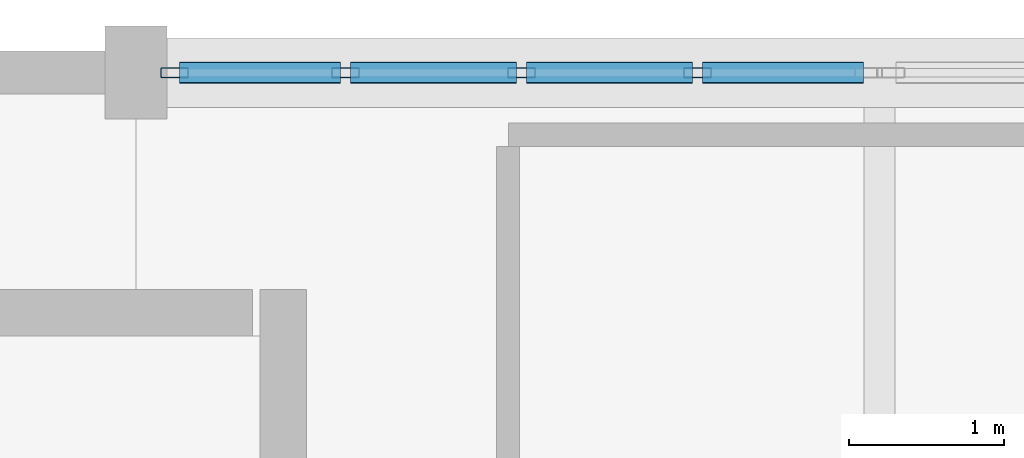
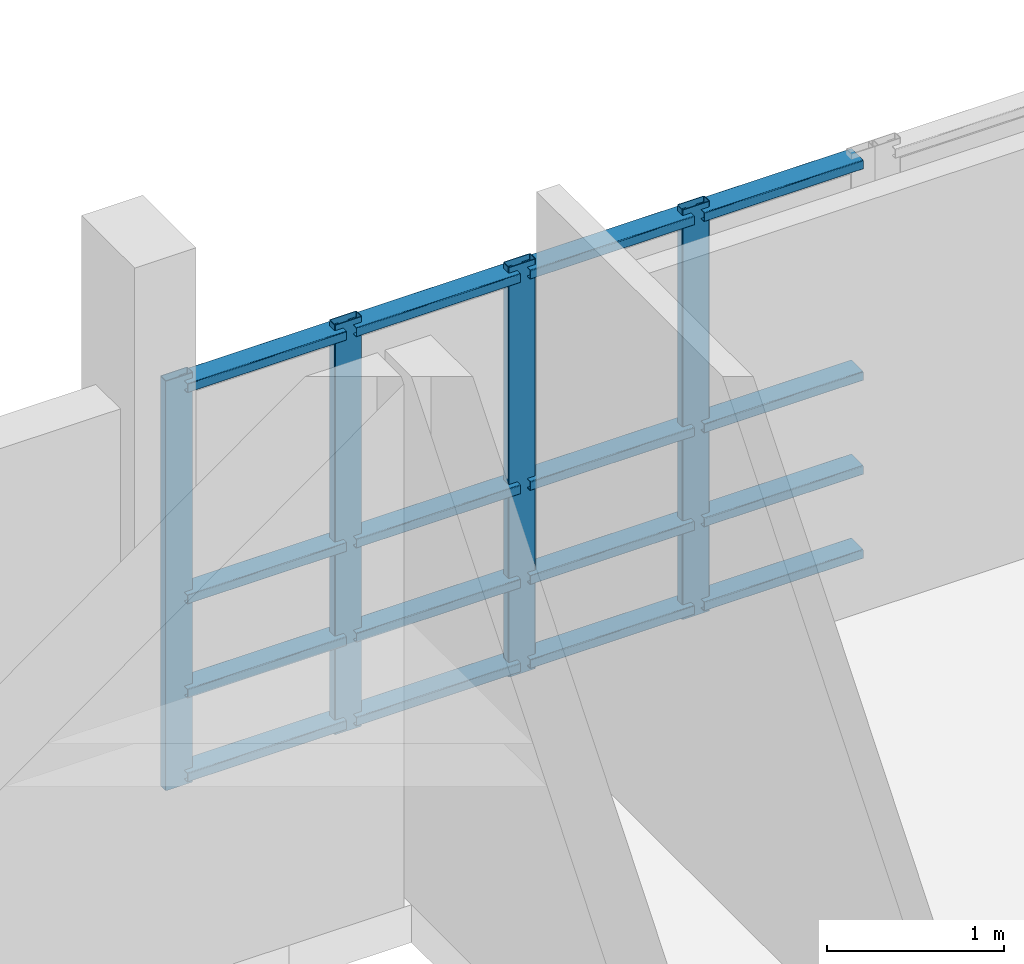
# One storey, part 116 of 188: 20 members, 1 element without a shape of its own.
"""IFC4 building model written with IfcOpenShell, lengths in metres."""

from ifc_helpers import new_model, si_unit, direction, frame, origin, origin_2d, place, context, subcontext, project, spatial, hollow_rectangle, extrude, material, layer, layer_set, material_profile, profile_set, type_object, element, aggregate, save


model = new_model("IFC4")

# Units and contexts
model_context = context("Model", 3, precision=1e-05, world=origin(), true_north=direction((0.0, 1.0)))
body_context = subcontext(model_context, "Body", "Model", "MODEL_VIEW")
ifc_project = project(units=[si_unit("LENGTHUNIT", "METRE"), si_unit("AREAUNIT", "SQUARE_METRE"), si_unit("VOLUMEUNIT", "CUBIC_METRE"), si_unit("PLANEANGLEUNIT", "RADIAN"), si_unit("MASSUNIT", "GRAM", prefix="KILO")], contexts=[model_context])

# Site, building, storey
site_placement = place(None, origin())
site = spatial("IfcSite", under=ifc_project, at=site_placement, CompositionType="ELEMENT")
building_placement = place(site_placement, origin())
building = spatial("IfcBuilding", under=site, at=building_placement, Name="Kisaragi Civic Commons", CompositionType="ELEMENT")
storey_placement = place(building_placement, frame((0.0, 0.0, 9.60009765625)))
storey = spatial("IfcBuildingStorey", under=building, at=storey_placement, Name="L02", CompositionType="ELEMENT", Elevation=9.60009765625)

# Curtain wall, members
ifc_material = material(Name="Thermally broken anodized aluminium and low-E double glazing", Category="aluminium")
ifc_layer = layer(ifc_material, 0.179931640625, Name="Thermally broken anodized aluminium and low-E double glazing", Category="aluminium")
ifc_layer_set = layer_set([ifc_layer], Name="Thermally broken anodized aluminium and low-E double glazing")
curtain_wall_type = type_object("IfcCurtainWallType", Name="CW-01", PredefinedType="NOTDEFINED", material=ifc_layer_set)
curtain_wall_placement = place(storey_placement, origin())
curtain_wall = element("IfcCurtainWall", 1, at=curtain_wall_placement, inside=storey, type_object=curtain_wall_type, Name="L02 curtain wall CW-01 CW-V4-L02-085", PredefinedType="NOTDEFINED")
ifc_material_profile_1 = material_profile(ifc_material, hollow_rectangle(XDim=0.06494140625, YDim=0.179931640625, WallThickness=0.00439453125, InnerFilletRadius=0.00439453125, OuterFilletRadius=0.009033203125, at=origin_2d()), Name="CWM-65x180x4.5", Category="aluminium")
ifc_profile_set_1 = profile_set([ifc_material_profile_1], Name="Thermally broken anodized aluminium and low-E double glazing")
member_type_1 = type_object("IfcMemberType", Name="CWM-02", PredefinedType="MULLION", material=ifc_profile_set_1)
member_1_placement = place(storey_placement, frame((123.847412109375, 118.800048828125, 0.0), z_axis=(0.0, 0.0, 1.0), x_axis=(0.0, 1.0, 0.0)))
member_1 = element("IfcMember", 2, at=member_1_placement, type_object=member_type_1, Name="CW-01 mullion 1", PredefinedType="MULLION", context=body_context, shape_type="SweptSolid", body=[
    extrude(hollow_rectangle(XDim=0.06494140625, YDim=0.179931640625, WallThickness=0.00439453125, InnerFilletRadius=0.00439453125, OuterFilletRadius=0.009033203125, at=origin_2d()), origin(), (0.0, 0.0, 1.0), 2.829833984375),
])
member_2_placement = place(storey_placement, frame((124.951171875, 118.800048828125, 0.0), z_axis=(0.0, 0.0, 1.0), x_axis=(0.0, 1.0, 0.0)))
member_2 = element("IfcMember", 3, at=member_2_placement, type_object=member_type_1, Name="CW-01 mullion 2", PredefinedType="MULLION", context=body_context, shape_type="SweptSolid", body=[
    extrude(hollow_rectangle(XDim=0.06494140625, YDim=0.179931640625, WallThickness=0.00439453125, InnerFilletRadius=0.00439453125, OuterFilletRadius=0.009033203125, at=origin_2d()), origin(), (0.0, 0.0, 1.0), 2.829833984375),
])
member_3_placement = place(storey_placement, frame((126.08740234375, 118.800048828125, 0.0), z_axis=(0.0, 0.0, 1.0), x_axis=(0.0, 1.0, 0.0)))
member_3 = element("IfcMember", 4, at=member_3_placement, type_object=member_type_1, Name="CW-01 mullion 3", PredefinedType="MULLION", context=body_context, shape_type="SweptSolid", body=[
    extrude(hollow_rectangle(XDim=0.06494140625, YDim=0.179931640625, WallThickness=0.00439453125, InnerFilletRadius=0.00439453125, OuterFilletRadius=0.009033203125, at=origin_2d()), origin(), (0.0, 0.0, 1.0), 2.829833984375),
])
member_4_placement = place(storey_placement, frame((127.2236328125, 118.800048828125, 0.0), z_axis=(0.0, 0.0, 1.0), x_axis=(0.0, 1.0, 0.0)))
member_4 = element("IfcMember", 5, at=member_4_placement, type_object=member_type_1, Name="CW-01 mullion 4", PredefinedType="MULLION", context=body_context, shape_type="SweptSolid", body=[
    extrude(hollow_rectangle(XDim=0.06494140625, YDim=0.179931640625, WallThickness=0.00439453125, InnerFilletRadius=0.00439453125, OuterFilletRadius=0.009033203125, at=origin_2d()), origin(), (0.0, 0.0, 1.0), 2.829833984375),
])
ifc_material_profile_2 = material_profile(ifc_material, hollow_rectangle(XDim=0.139892578125, YDim=0.06494140625, WallThickness=0.00439453125, InnerFilletRadius=0.00439453125, OuterFilletRadius=0.009033203125, at=origin_2d()), Name="CWT-65x140x4.5", Category="aluminium")
ifc_profile_set_2 = profile_set([ifc_material_profile_2], Name="Thermally broken anodized aluminium and low-E double glazing")
member_type_2 = type_object("IfcMemberType", Name="CWT-02", PredefinedType="USERDEFINED", material=ifc_profile_set_2)
member_5_placement = place(storey_placement, frame((123.8798828125, 118.800048828125, 0.06982421875), z_axis=(1.0, 0.0, 0.0), x_axis=(0.0, 1.0, 0.0)))
member_5 = element("IfcMember", 6, at=member_5_placement, type_object=member_type_2, Name="CW-01 transom 1.1", ObjectType="TRANSOM", PredefinedType="USERDEFINED", context=body_context, shape_type="SweptSolid", body=[
    extrude(hollow_rectangle(XDim=0.139892578125, YDim=0.06494140625, WallThickness=0.00439453125, InnerFilletRadius=0.00439453125, OuterFilletRadius=0.009033203125, at=origin_2d()), origin(), (0.0, 0.0, 1.0), 1.038818359375),
])
member_6_placement = place(storey_placement, frame((123.8798828125, 118.800048828125, 0.64990234375), z_axis=(1.0, 0.0, 0.0), x_axis=(0.0, 1.0, 0.0)))
member_6 = element("IfcMember", 7, at=member_6_placement, type_object=member_type_2, Name="CW-01 transom 1.2", ObjectType="TRANSOM", PredefinedType="USERDEFINED", context=body_context, shape_type="SweptSolid", body=[
    extrude(hollow_rectangle(XDim=0.139892578125, YDim=0.06494140625, WallThickness=0.00439453125, InnerFilletRadius=0.00439453125, OuterFilletRadius=0.009033203125, at=origin_2d()), origin(), (0.0, 0.0, 1.0), 1.038818359375),
])
member_7_placement = place(storey_placement, frame((123.8798828125, 118.800048828125, 1.2998046875), z_axis=(1.0, 0.0, 0.0), x_axis=(0.0, 1.0, 0.0)))
member_7 = element("IfcMember", 8, at=member_7_placement, type_object=member_type_2, Name="CW-01 transom 1.3", ObjectType="TRANSOM", PredefinedType="USERDEFINED", context=body_context, shape_type="SweptSolid", body=[
    extrude(hollow_rectangle(XDim=0.139892578125, YDim=0.06494140625, WallThickness=0.00439453125, InnerFilletRadius=0.00439453125, OuterFilletRadius=0.009033203125, at=origin_2d()), origin(), (0.0, 0.0, 1.0), 1.038818359375),
])
member_8_placement = place(storey_placement, frame((123.8798828125, 118.800048828125, 2.760009765625), z_axis=(1.0, 0.0, 0.0), x_axis=(0.0, 1.0, 0.0)))
member_8 = element("IfcMember", 9, at=member_8_placement, type_object=member_type_2, Name="CW-01 transom 1.4", ObjectType="TRANSOM", PredefinedType="USERDEFINED", context=body_context, shape_type="SweptSolid", body=[
    extrude(hollow_rectangle(XDim=0.139892578125, YDim=0.06494140625, WallThickness=0.00439453125, InnerFilletRadius=0.00439453125, OuterFilletRadius=0.009033203125, at=origin_2d()), origin(), (0.0, 0.0, 1.0), 1.038818359375),
])
member_9_placement = place(storey_placement, frame((124.983642578125, 118.800048828125, 0.06982421875), z_axis=(1.0, 0.0, 0.0), x_axis=(0.0, 1.0, 0.0)))
member_9 = element("IfcMember", 10, at=member_9_placement, type_object=member_type_2, Name="CW-01 transom 2.1", ObjectType="TRANSOM", PredefinedType="USERDEFINED", context=body_context, shape_type="SweptSolid", body=[
    extrude(hollow_rectangle(XDim=0.139892578125, YDim=0.06494140625, WallThickness=0.00439453125, InnerFilletRadius=0.00439453125, OuterFilletRadius=0.009033203125, at=origin_2d()), origin(), (0.0, 0.0, 1.0), 1.0712890625),
])
member_10_placement = place(storey_placement, frame((124.983642578125, 118.800048828125, 0.64990234375), z_axis=(1.0, 0.0, 0.0), x_axis=(0.0, 1.0, 0.0)))
member_10 = element("IfcMember", 11, at=member_10_placement, type_object=member_type_2, Name="CW-01 transom 2.2", ObjectType="TRANSOM", PredefinedType="USERDEFINED", context=body_context, shape_type="SweptSolid", body=[
    extrude(hollow_rectangle(XDim=0.139892578125, YDim=0.06494140625, WallThickness=0.00439453125, InnerFilletRadius=0.00439453125, OuterFilletRadius=0.009033203125, at=origin_2d()), origin(), (0.0, 0.0, 1.0), 1.0712890625),
])
member_11_placement = place(storey_placement, frame((124.983642578125, 118.800048828125, 1.2998046875), z_axis=(1.0, 0.0, 0.0), x_axis=(0.0, 1.0, 0.0)))
member_11 = element("IfcMember", 12, at=member_11_placement, type_object=member_type_2, Name="CW-01 transom 2.3", ObjectType="TRANSOM", PredefinedType="USERDEFINED", context=body_context, shape_type="SweptSolid", body=[
    extrude(hollow_rectangle(XDim=0.139892578125, YDim=0.06494140625, WallThickness=0.00439453125, InnerFilletRadius=0.00439453125, OuterFilletRadius=0.009033203125, at=origin_2d()), origin(), (0.0, 0.0, 1.0), 1.0712890625),
])
member_12_placement = place(storey_placement, frame((124.983642578125, 118.800048828125, 2.760009765625), z_axis=(1.0, 0.0, 0.0), x_axis=(0.0, 1.0, 0.0)))
member_12 = element("IfcMember", 13, at=member_12_placement, type_object=member_type_2, Name="CW-01 transom 2.4", ObjectType="TRANSOM", PredefinedType="USERDEFINED", context=body_context, shape_type="SweptSolid", body=[
    extrude(hollow_rectangle(XDim=0.139892578125, YDim=0.06494140625, WallThickness=0.00439453125, InnerFilletRadius=0.00439453125, OuterFilletRadius=0.009033203125, at=origin_2d()), origin(), (0.0, 0.0, 1.0), 1.0712890625),
])
member_13_placement = place(storey_placement, frame((126.1201171875, 118.800048828125, 0.06982421875), z_axis=(1.0, 0.0, 0.0), x_axis=(0.0, 1.0, 0.0)))
member_13 = element("IfcMember", 14, at=member_13_placement, type_object=member_type_2, Name="CW-01 transom 3.1", ObjectType="TRANSOM", PredefinedType="USERDEFINED", context=body_context, shape_type="SweptSolid", body=[
    extrude(hollow_rectangle(XDim=0.139892578125, YDim=0.06494140625, WallThickness=0.00439453125, InnerFilletRadius=0.00439453125, OuterFilletRadius=0.009033203125, at=origin_2d()), origin(), (0.0, 0.0, 1.0), 1.071044921875),
])
member_14_placement = place(storey_placement, frame((126.1201171875, 118.800048828125, 0.64990234375), z_axis=(1.0, 0.0, 0.0), x_axis=(0.0, 1.0, 0.0)))
member_14 = element("IfcMember", 15, at=member_14_placement, type_object=member_type_2, Name="CW-01 transom 3.2", ObjectType="TRANSOM", PredefinedType="USERDEFINED", context=body_context, shape_type="SweptSolid", body=[
    extrude(hollow_rectangle(XDim=0.139892578125, YDim=0.06494140625, WallThickness=0.00439453125, InnerFilletRadius=0.00439453125, OuterFilletRadius=0.009033203125, at=origin_2d()), origin(), (0.0, 0.0, 1.0), 1.071044921875),
])
member_15_placement = place(storey_placement, frame((126.1201171875, 118.800048828125, 1.2998046875), z_axis=(1.0, 0.0, 0.0), x_axis=(0.0, 1.0, 0.0)))
member_15 = element("IfcMember", 16, at=member_15_placement, type_object=member_type_2, Name="CW-01 transom 3.3", ObjectType="TRANSOM", PredefinedType="USERDEFINED", context=body_context, shape_type="SweptSolid", body=[
    extrude(hollow_rectangle(XDim=0.139892578125, YDim=0.06494140625, WallThickness=0.00439453125, InnerFilletRadius=0.00439453125, OuterFilletRadius=0.009033203125, at=origin_2d()), origin(), (0.0, 0.0, 1.0), 1.071044921875),
])
member_16_placement = place(storey_placement, frame((126.1201171875, 118.800048828125, 2.760009765625), z_axis=(1.0, 0.0, 0.0), x_axis=(0.0, 1.0, 0.0)))
member_16 = element("IfcMember", 17, at=member_16_placement, type_object=member_type_2, Name="CW-01 transom 3.4", ObjectType="TRANSOM", PredefinedType="USERDEFINED", context=body_context, shape_type="SweptSolid", body=[
    extrude(hollow_rectangle(XDim=0.139892578125, YDim=0.06494140625, WallThickness=0.00439453125, InnerFilletRadius=0.00439453125, OuterFilletRadius=0.009033203125, at=origin_2d()), origin(), (0.0, 0.0, 1.0), 1.071044921875),
])
member_17_placement = place(storey_placement, frame((127.25634765625, 118.800048828125, 0.06982421875), z_axis=(1.0, 0.0, 0.0), x_axis=(0.0, 1.0, 0.0)))
member_17 = element("IfcMember", 18, at=member_17_placement, type_object=member_type_2, Name="CW-01 transom 4.1", ObjectType="TRANSOM", PredefinedType="USERDEFINED", context=body_context, shape_type="SweptSolid", body=[
    extrude(hollow_rectangle(XDim=0.139892578125, YDim=0.06494140625, WallThickness=0.00439453125, InnerFilletRadius=0.00439453125, OuterFilletRadius=0.009033203125, at=origin_2d()), origin(), (0.0, 0.0, 1.0), 1.03857421875),
])
member_18_placement = place(storey_placement, frame((127.25634765625, 118.800048828125, 0.64990234375), z_axis=(1.0, 0.0, 0.0), x_axis=(0.0, 1.0, 0.0)))
member_18 = element("IfcMember", 19, at=member_18_placement, type_object=member_type_2, Name="CW-01 transom 4.2", ObjectType="TRANSOM", PredefinedType="USERDEFINED", context=body_context, shape_type="SweptSolid", body=[
    extrude(hollow_rectangle(XDim=0.139892578125, YDim=0.06494140625, WallThickness=0.00439453125, InnerFilletRadius=0.00439453125, OuterFilletRadius=0.009033203125, at=origin_2d()), origin(), (0.0, 0.0, 1.0), 1.03857421875),
])
member_19_placement = place(storey_placement, frame((127.25634765625, 118.800048828125, 1.2998046875), z_axis=(1.0, 0.0, 0.0), x_axis=(0.0, 1.0, 0.0)))
member_19 = element("IfcMember", 20, at=member_19_placement, type_object=member_type_2, Name="CW-01 transom 4.3", ObjectType="TRANSOM", PredefinedType="USERDEFINED", context=body_context, shape_type="SweptSolid", body=[
    extrude(hollow_rectangle(XDim=0.139892578125, YDim=0.06494140625, WallThickness=0.00439453125, InnerFilletRadius=0.00439453125, OuterFilletRadius=0.009033203125, at=origin_2d()), origin(), (0.0, 0.0, 1.0), 1.03857421875),
])
member_20_placement = place(storey_placement, frame((127.25634765625, 118.800048828125, 2.760009765625), z_axis=(1.0, 0.0, 0.0), x_axis=(0.0, 1.0, 0.0)))
member_20 = element("IfcMember", 21, at=member_20_placement, type_object=member_type_2, Name="CW-01 transom 4.4", ObjectType="TRANSOM", PredefinedType="USERDEFINED", context=body_context, shape_type="SweptSolid", body=[
    extrude(hollow_rectangle(XDim=0.139892578125, YDim=0.06494140625, WallThickness=0.00439453125, InnerFilletRadius=0.00439453125, OuterFilletRadius=0.009033203125, at=origin_2d()), origin(), (0.0, 0.0, 1.0), 1.03857421875),
])
aggregate(curtain_wall, [member_1, member_2, member_3, member_4, member_5, member_6, member_7, member_8, member_9, member_10, member_11, member_12, member_13, member_14, member_15, member_16, member_17, member_18, member_19, member_20])

save(model, "model.ifc")
